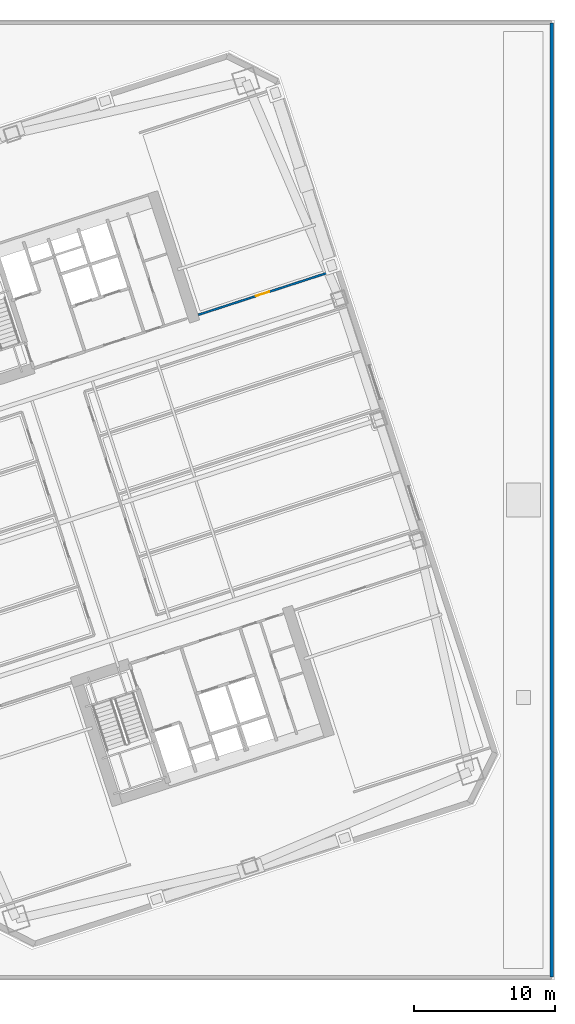
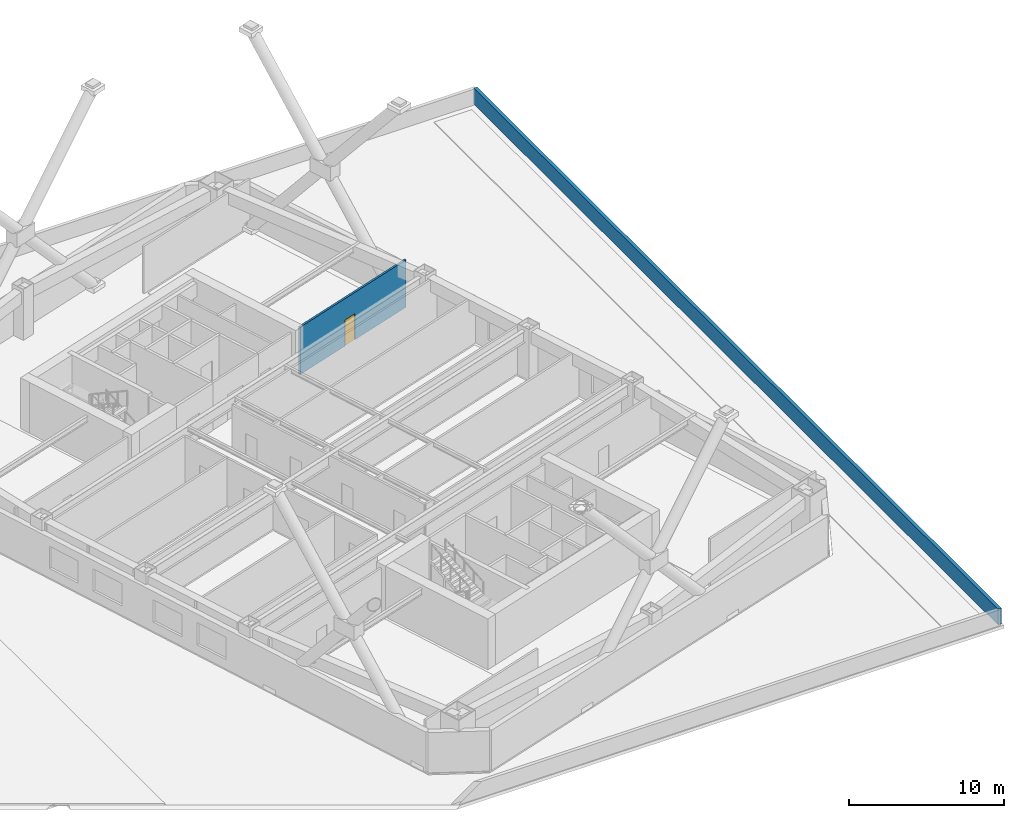
# One storey, part 12 of 20: 2 walls, 1 door, 1 opening.
"""IFC4 building model written with IfcOpenShell, lengths in metres."""

from ifc_helpers import new_model, si_unit, direction, frame, frame_2d, origin, place, context, subcontext, project, spatial, rectangle, extrude, material, layer, layer_set, type_object, element, fill, save


model = new_model("IFC4")

# Units and contexts
model_context = context("Model", 3, precision=1e-05, world=origin(), true_north=direction((0.0, 1.0)))
body_context = subcontext(model_context, "Body", "Model", "MODEL_VIEW")
ifc_project = project(units=[si_unit("LENGTHUNIT", "METRE"), si_unit("AREAUNIT", "SQUARE_METRE"), si_unit("VOLUMEUNIT", "CUBIC_METRE"), si_unit("PLANEANGLEUNIT", "RADIAN"), si_unit("MASSUNIT", "GRAM", prefix="KILO")], contexts=[model_context])

# Site, building, storey
site_placement = place(None, origin())
site = spatial("IfcSite", under=ifc_project, at=site_placement, CompositionType="ELEMENT")
building_placement = place(site_placement, origin())
building = spatial("IfcBuilding", under=site, at=building_placement, Name="Qiaolan Cultural Towers", CompositionType="ELEMENT")
storey_placement = place(building_placement, frame((0.0, 0.0, 26.0)))
storey = spatial("IfcBuildingStorey", under=building, at=storey_placement, Name="L05", CompositionType="ELEMENT", Elevation=26.0)

# Wall
ifc_material_1 = material(Name="Precast Concrete C45 Parapet Coping", Category="concrete")
ifc_layer_1 = layer(ifc_material_1, 0.25)
ifc_layer_set_1 = layer_set([ifc_layer_1], Name="Precast Concrete C45 Parapet Coping")
wall_type_1 = type_object("IfcWallType", Name="WL-PARAPET-250", PredefinedType="PARAPET", material=ifc_layer_set_1)
wall_1_placement = place(storey_placement, frame((119.800048828125, 0.199951171875, 0.0), z_axis=(0.0, 0.0, 1.0), x_axis=(0.0, 1.0, 0.0)))
element("IfcWall", 1, at=wall_1_placement, inside=storey, type_object=wall_type_1, Name="Podium Perimeter Precast Parapet PW-POD-E", PredefinedType="PARAPET", context=body_context, shape_type="SweptSolid", body=[
    extrude(rectangle(XDim=67.60009765625, YDim=0.25, at=frame_2d((33.800048828125, 0.0))), origin(), (0.0, 0.0, 1.0), 1.25),
])

# Wall, opening, door
ifc_material_2 = material(Name="Autoclaved Aerated Concrete Block B06", Category="concrete")
ifc_layer_2 = layer(ifc_material_2, 0.14990234375)
ifc_layer_set_2 = layer_set([ifc_layer_2], Name="Autoclaved Aerated Concrete Block B06")
wall_type_2 = type_object("IfcWallType", Name="WL-PART-150", PredefinedType="PARTITIONING", material=ifc_layer_set_2)
wall_2_placement = place(storey_placement, frame((94.77978515625, 47.119140625, 0.0), z_axis=(0.0, 0.0, 1.0), x_axis=(0.951054294345, 0.309023832749, 0.0)))
wall_2 = element("IfcWall", 2, at=wall_2_placement, inside=storey, type_object=wall_type_2, Name="L05 T2 Flank Front FLK-NE", PredefinedType="PARTITIONING", context=body_context, shape_type="SweptSolid", body=[
    extrude(rectangle(XDim=10.2001953125, YDim=0.14990234375, at=frame_2d((5.10009765625, 0.0))), origin(), (0.0, 0.0, 1.0), 3.72509765625),
])
opening_placement = place(wall_2_placement, frame((4.283935546875, 0.0, 0.0)))
opening = element("IfcOpeningElement", 3, at=opening_placement, cuts=wall_2, Name="Opening ID-04", PredefinedType="OPENING", context=body_context, shape_type="SweptSolid", body=[
    extrude(rectangle(XDim=1.0, YDim=2.050048828125, at=frame_2d((0.5, 1.02490234375))), frame((0.0, 0.0849609375, 0.0), z_axis=(0.0, -1.0, 0.0), x_axis=(1.0, 0.0, 0.0)), (0.0, 0.0, 1.0), 0.169921875),
])
ifc_material_3 = material(Name="Oak Veneer Acoustic Office Door", Category="timber")
door_type = type_object("IfcDoorType", Name="DR-INT-1000", OperationType="NOTDEFINED", PredefinedType="DOOR", material=ifc_material_3)
door_placement = place(opening_placement, origin())
door = element("IfcDoor", 4, at=door_placement, inside=storey, type_object=door_type, Name="L05 T2 Corner Studio Door", OperationType="SINGLE_SWING_LEFT", OverallHeight=2.050048828125, OverallWidth=1.0, PredefinedType="DOOR", context=body_context, shape_type="SweptSolid", body=[
    extrude(rectangle(XDim=1.0, YDim=2.050048828125, at=frame_2d((0.5, 1.02490234375))), frame((0.0, 0.02490234375, 0.0), z_axis=(0.0, -1.0, 0.0), x_axis=(1.0, 0.0, 0.0)), (0.0, 0.0, 1.0), 0.050048828125),
])
fill(opening, door)

save(model, "model.ifc")
